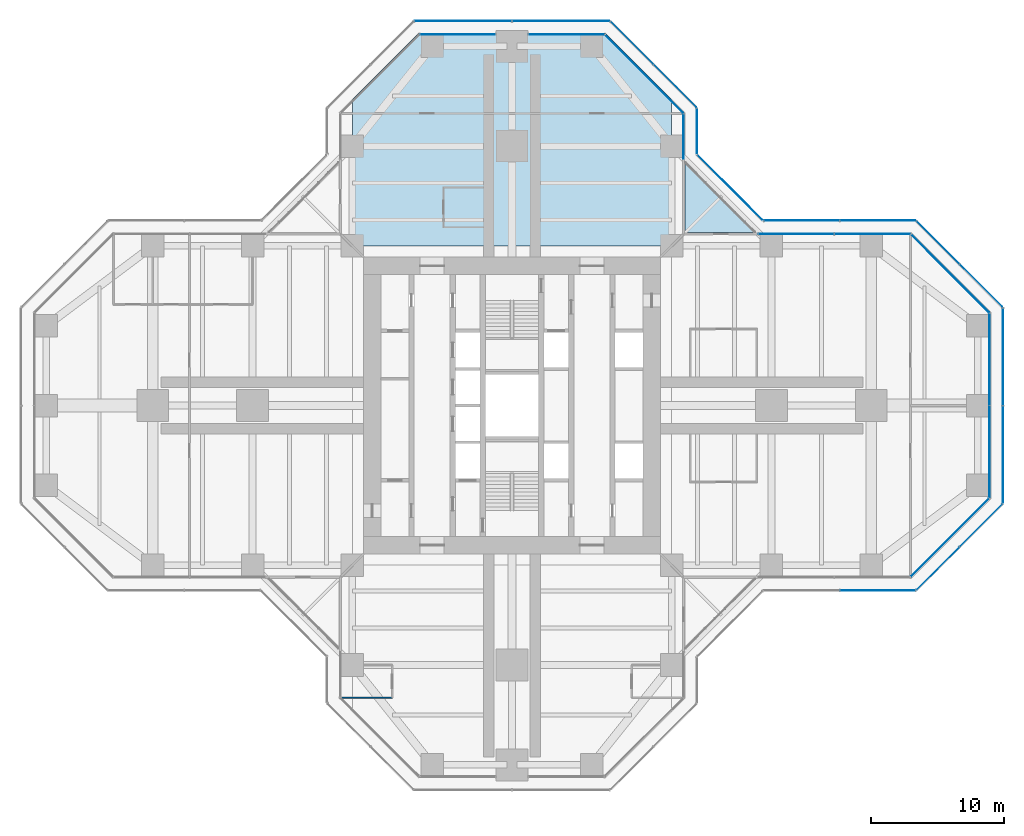
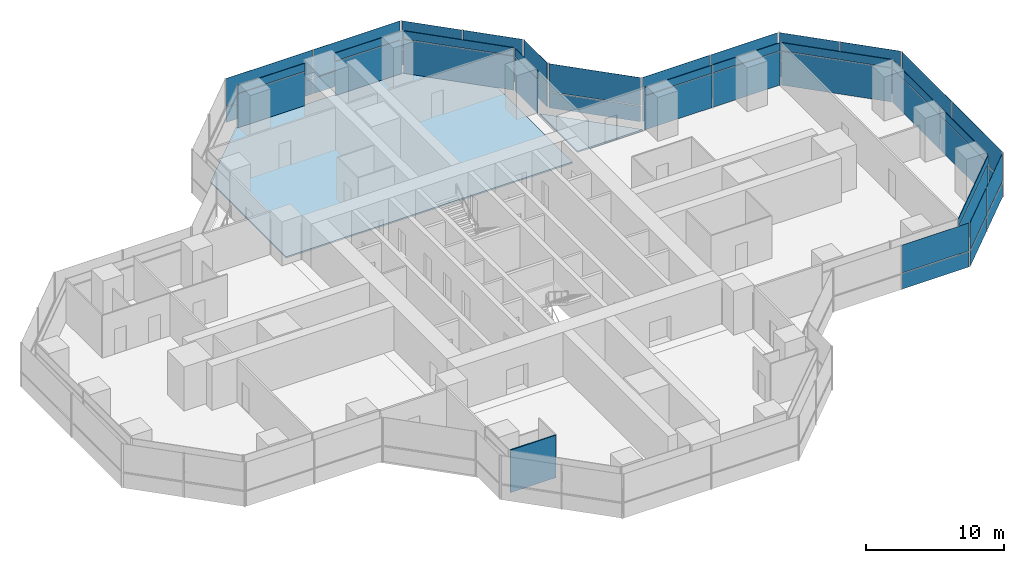
# One storey, part 14 of 19: 50 plates, 2 slabs, 1 wall, 17 elements without a shape of their own.
"""IFC4 building model written with IfcOpenShell, lengths in metres."""

import ifcopenshell
import ifcopenshell.guid

model = None  # the IFC model being written
_history = None  # IfcOwnerHistory: only IFC2X3 demands one
_inside = {}  # id of a spatial element -> (the spatial element, [elements in it])
_under = {}  # id of a project, library or spatial element -> (it, [spatial elements below it])
_declared = {}  # id of a project -> (the project, [libraries it declares])
_typed = {}  # id of a type object -> (the type object, [elements of that type])
_made_of = {}  # id of a material, layer set ... -> (it, [elements and type objects made of it])


def new_model(schema):
    """Start an empty IFC model of exactly this schema.

    Asked for "IFC4X3", IfcOpenShell would pick the latest addendum, in which some entities
    have other attributes; the version numbers below select the first issue.
    IFC2X3 requires an IfcOwnerHistory on every rooted entity: one is made here for all.
    """
    global model, _history
    if schema == "IFC4X3":
        model = ifcopenshell.file(schema_version=(4, 3, 0, 0))
    else:
        model = ifcopenshell.file(schema=schema)
    _inside.clear()
    _under.clear()
    _declared.clear()
    _typed.clear()
    _made_of.clear()
    _history = None
    if model.schema == "IFC2X3":
        org = make("IfcOrganization", Name="unknown")
        user = make(
            "IfcPersonAndOrganization",
            ThePerson=make("IfcPerson", FamilyName="unknown"),
            TheOrganization=org,
        )
        app = make(
            "IfcApplication",
            ApplicationDeveloper=org,
            Version="unknown",
            ApplicationFullName="unknown",
            ApplicationIdentifier="unknown",
        )
        _history = make(
            "IfcOwnerHistory",
            OwningUser=user,
            OwningApplication=app,
            ChangeAction="ADDED",
            CreationDate=0,
        )
    return model


def make(cls, **values):
    """One entity of the class cls with the attributes given. An attribute that is None is left unset."""
    return model.create_entity(
        cls, **{name: value for name, value in values.items() if value is not None}
    )


def rooted(cls, **values):
    """An entity with a GlobalId (a new one), such as an element, a storey or a relation."""
    return make(cls, GlobalId=ifcopenshell.guid.new(), OwnerHistory=_history, **values)


def si_unit(unit_type, name, prefix=None):
    """IfcSIUnit, for example si_unit("LENGTHUNIT", "METRE", prefix="MILLI")."""
    return make("IfcSIUnit", UnitType=unit_type, Prefix=prefix, Name=name)


def assignment(units):
    """IfcUnitAssignment: the units of a project."""
    return None if units is None else make("IfcUnitAssignment", Units=units)


def point(xyz):
    """IfcCartesianPoint."""
    return None if xyz is None else make("IfcCartesianPoint", Coordinates=xyz)


def direction(xyz):
    """IfcDirection."""
    return None if xyz is None else make("IfcDirection", DirectionRatios=xyz)


def frame(location, z_axis=None, x_axis=None):
    """IfcAxis2Placement3D, a coordinate frame: its origin and axes. An axis left out is left unset."""
    return make(
        "IfcAxis2Placement3D",
        Location=point(location),
        Axis=direction(z_axis),
        RefDirection=direction(x_axis),
    )


def frame_2d(location, x_axis=None):
    """IfcAxis2Placement2D, a coordinate frame in the plane: its origin and x axis."""
    return make(
        "IfcAxis2Placement2D", Location=point(location), RefDirection=direction(x_axis)
    )


def origin():
    """The frame at (0, 0, 0) with its axes left unset."""
    return frame((0.0, 0.0, 0.0))


def origin_2d():
    """The frame at (0, 0) in the plane with its x axis left unset."""
    return frame_2d((0.0, 0.0))


def place(relative_to, where):
    """IfcLocalPlacement: puts the frame where relative to a parent placement (None: the world)."""
    return make(
        "IfcLocalPlacement", PlacementRelTo=relative_to, RelativePlacement=where
    )


def context(
    kind, dimensions, precision=None, world=None, true_north=None, identifier=None
):
    """IfcGeometricRepresentationContext, for example the 3D "Model" context."""
    return make(
        "IfcGeometricRepresentationContext",
        ContextIdentifier=identifier,
        ContextType=kind,
        CoordinateSpaceDimension=dimensions,
        Precision=precision,
        WorldCoordinateSystem=world,
        TrueNorth=true_north,
    )


def subcontext(parent, identifier, kind, view, scale=None):
    """IfcGeometricRepresentationSubContext, for example "Body" below "Model"."""
    return make(
        "IfcGeometricRepresentationSubContext",
        ContextIdentifier=identifier,
        ContextType=kind,
        ParentContext=parent,
        TargetScale=scale,
        TargetView=view,
    )


def project(units=None, contexts=None):
    """IfcProject with its units and contexts."""
    return rooted(
        "IfcProject",
        Name="project",
        RepresentationContexts=contexts,
        UnitsInContext=assignment(units),
    )


def spatial(cls, under=None, at=None, **own):
    """A site, building, storey or space (cls), placed at a placement, below another one or the project."""
    s = rooted(cls, ObjectPlacement=at, **own)
    if under is not None:
        _under.setdefault(under.id(), (under, []))[1].append(s)
    return s


def polyline(points):
    """IfcPolyline through the points."""
    return make("IfcPolyline", Points=[point(p) for p in points])


def profile(cls, at=None, kind="AREA", **sizes):
    """A parametric profile (cls). Its sizes go by their IFC names, for example OverallWidth=200.0."""
    return make(cls, ProfileType=kind, Position=at, **sizes)


def rectangle(**sizes):
    """IfcRectangleProfileDef."""
    return profile("IfcRectangleProfileDef", **sizes)


def outline(outer, holes=None, kind="AREA"):
    """IfcArbitraryClosedProfileDef: a profile drawn as a closed curve; with holes, ...WithVoids."""
    if holes is None:
        return make("IfcArbitraryClosedProfileDef", ProfileType=kind, OuterCurve=outer)
    return make(
        "IfcArbitraryProfileDefWithVoids",
        ProfileType=kind,
        OuterCurve=outer,
        InnerCurves=holes,
    )


def extrude(swept, where, along, depth):
    """IfcExtrudedAreaSolid: the profile swept, set in the frame where, extruded along a direction by depth."""
    return make(
        "IfcExtrudedAreaSolid",
        SweptArea=swept,
        Position=where,
        ExtrudedDirection=direction(along),
        Depth=depth,
    )


def shape(context_of_items, identifier, shape_type, items):
    """IfcShapeRepresentation: the items that make up one representation, for example the "Body"."""
    return make(
        "IfcShapeRepresentation",
        ContextOfItems=context_of_items,
        RepresentationIdentifier=identifier,
        RepresentationType=shape_type,
        Items=items,
    )


def material(Name=None, Category=None):
    """IfcMaterial."""
    return make("IfcMaterial", Name=Name, Category=Category)


def layer(
    of_material, thickness, ventilated=None, Name=None, Category=None, Priority=None
):
    """IfcMaterialLayer: one layer of a wall or slab, of a material (None: an air gap)."""
    return make(
        "IfcMaterialLayer",
        Material=of_material,
        LayerThickness=thickness,
        IsVentilated=ventilated,
        Name=Name,
        Category=Category,
        Priority=Priority,
    )


def layer_set(layers, Name=None):
    """IfcMaterialLayerSet."""
    return make("IfcMaterialLayerSet", MaterialLayers=layers, LayerSetName=Name)


def made_of(thing, what):
    """Note that an element or type object is made of a material, layer set ...; save() writes the relation."""
    if what is not None:
        _made_of.setdefault(what.id(), (what, []))[1].append(thing)
    return thing


def type_object(cls, material=None, **own):
    """A type object (cls), such as IfcWallType, which elements share."""
    return made_of(rooted(cls, **own), material)


def element(
    cls,
    number,
    at=None,
    inside=None,
    cuts=None,
    type_object=None,
    material=None,
    context=None,
    identifier="Body",
    shape_type=None,
    held_by="IfcProductDefinitionShape",
    body=None,
    shapes=None,
    **own,
):
    """One element of the class cls, such as IfcWall. Its Tag is "e" and its number.

    at: its placement. inside: the storey or other place that contains it. cuts: it is an
    opening in that element (IfcRelVoidsElement). A single representation is given by context,
    identifier, shape_type and body (its items); several are given by shapes. held_by: the class
    of the entity that holds the representations. save() writes the other relations.
    """
    e = rooted(cls, Tag="e%d" % number, ObjectPlacement=at, **own)
    if body is not None:
        shapes = [shape(context, identifier, shape_type, body)]
    if shapes is not None:
        e.Representation = make(held_by, Representations=shapes)
    if inside is not None:
        _inside.setdefault(inside.id(), (inside, []))[1].append(e)
    if cuts is not None:
        rooted(
            "IfcRelVoidsElement", RelatingBuildingElement=cuts, RelatedOpeningElement=e
        )
    if type_object is not None:
        _typed.setdefault(type_object.id(), (type_object, []))[1].append(e)
    return made_of(e, material)


def aggregate(whole, parts):
    """IfcRelAggregates: a whole, such as a stair, and the parts it consists of."""
    return rooted("IfcRelAggregates", RelatingObject=whole, RelatedObjects=parts)


def save(model, path):
    """Write the relations noted so far, then the file.

    IfcRelAggregates (storeys below a building ...), IfcRelContainedInSpatialStructure (elements
    in a storey), IfcRelDefinesByType, IfcRelAssociatesMaterial and IfcRelDeclares: one each for
    every whole, place, type object, material and project.
    """
    for whole, parts in _under.values():
        aggregate(whole, parts)
    for where, things in _inside.values():
        rooted(
            "IfcRelContainedInSpatialStructure",
            RelatedElements=things,
            RelatingStructure=where,
        )
    for kind, things in _typed.values():
        rooted("IfcRelDefinesByType", RelatedObjects=things, RelatingType=kind)
    for what, things in _made_of.values():
        rooted("IfcRelAssociatesMaterial", RelatedObjects=things, RelatingMaterial=what)
    for by, libraries in _declared.values():
        rooted("IfcRelDeclares", RelatingContext=by, RelatedDefinitions=libraries)
    model.write(path)


model = new_model("IFC4")

# Units and contexts
model_context = context("Model", 3, precision=1e-05, world=origin(), true_north=direction((0.0, 1.0)))
body_context = subcontext(model_context, "Body", "Model", "MODEL_VIEW")
ifc_project = project(units=[si_unit("LENGTHUNIT", "METRE"), si_unit("AREAUNIT", "SQUARE_METRE"), si_unit("VOLUMEUNIT", "CUBIC_METRE"), si_unit("PLANEANGLEUNIT", "RADIAN"), si_unit("MASSUNIT", "GRAM", prefix="KILO")], contexts=[model_context])

# Site, building, storey
site_placement = place(None, origin())
site = spatial("IfcSite", under=ifc_project, at=site_placement, CompositionType="ELEMENT")
building_placement = place(site_placement, origin())
building = spatial("IfcBuilding", under=site, at=building_placement, Name="Mizan Broadcast Tower", CompositionType="ELEMENT")
storey_placement = place(building_placement, frame((0.0, 0.0, 163.199951171875)))
storey = spatial("IfcBuildingStorey", under=building, at=storey_placement, Name="L37", CompositionType="ELEMENT", Elevation=163.199951171875)

# Slab
ifc_material_1 = material(Name="Concrete C32/40", Category="concrete")
ifc_layer_1 = layer(ifc_material_1, 0.1298828125)
ifc_layer_set_1 = layer_set([ifc_layer_1], Name="Concrete C32/40")
slab_type_1 = type_object("IfcSlabType", Name="COMPOSITE DECK SLAB 130", PredefinedType="FLOOR", material=ifc_layer_set_1)
slab_1_placement = place(storey_placement, frame((0.0, 0.0, -0.1298828125)))
element("IfcSlab", 1, at=slab_1_placement, inside=storey, type_object=slab_type_1, Name="Floor slab L37 north arm", PredefinedType="FLOOR", context=body_context, shape_type="SweptSolid", body=[
    extrude(outline(polyline([(-7.0, 28.0), (-12.0, 23.0), (-12.0, 12.0), (12.0, 12.0), (12.0, 23.0), (7.0, 28.0), (-7.0, 28.0)])), origin(), (0.0, 0.0, 1.0), 0.1298828125),
])

# Curtain wall, plate
ifc_material_2 = material(Name="Aluminium framed glazing", Category="aluminium")
curtain_wall_type_1 = type_object("IfcCurtainWallType", Name="INNER SKIN MID ZONE", PredefinedType="USERDEFINED", material=ifc_material_2)
curtain_wall_1_placement = place(storey_placement, origin())
curtain_wall_1 = element("IfcCurtainWall", 2, at=curtain_wall_1_placement, inside=storey, type_object=curtain_wall_type_1, Name="Inner skin mid zone L37 E chamfer", ObjectType="INNER SKIN MID ZONE", PredefinedType="USERDEFINED")
ifc_material_3 = material(Name="Double glazing, clear low-e", Category="glass")
ifc_layer_2 = layer(ifc_material_3, 0.028076171875)
ifc_layer_set_2 = layer_set([ifc_layer_2], Name="Double glazing, clear low-e")
plate_type_1 = type_object("IfcPlateType", Name="INNER SKIN GLAZING UNIT", PredefinedType="CURTAIN_PANEL", material=ifc_layer_set_2)
plate_1_placement = place(storey_placement, frame((32.92919921875, -9.92919921875, 0.0), z_axis=(0.0, 0.0, 1.0), x_axis=(0.707106781187, 0.707106781187, 0.0)))
plate_1 = element("IfcPlate", 3, at=plate_1_placement, type_object=plate_type_1, Name="Inner skin mid zone L37 E chamfer panel 1.1", PredefinedType="CURTAIN_PANEL", context=body_context, shape_type="SweptSolid", body=[
    extrude(rectangle(XDim=8.282470703125, YDim=0.028076171875, at=origin_2d()), origin(), (0.0, 0.0, 1.0), 3.0),
])

# Curtain wall, plates
curtain_wall_2_placement = place(storey_placement, origin())
curtain_wall_2 = element("IfcCurtainWall", 4, at=curtain_wall_2_placement, inside=storey, type_object=curtain_wall_type_1, Name="Inner skin mid zone L37 E end", ObjectType="INNER SKIN MID ZONE", PredefinedType="USERDEFINED")
plate_2_placement = place(storey_placement, frame((35.89990234375, -3.46435546875, 0.0), z_axis=(0.0, 0.0, 1.0), x_axis=(0.0, 1.0, 0.0)))
plate_2 = element("IfcPlate", 5, at=plate_2_placement, type_object=plate_type_1, Name="Inner skin mid zone L37 E end panel 1.1", PredefinedType="CURTAIN_PANEL", context=body_context, shape_type="SweptSolid", body=[
    extrude(rectangle(XDim=6.86865234375, YDim=0.028076171875, at=origin_2d()), origin(), (0.0, 0.0, 1.0), 3.0),
])
plate_3_placement = place(storey_placement, frame((35.89990234375, 3.46435546875, 0.0), z_axis=(0.0, 0.0, 1.0), x_axis=(0.0, 1.0, 0.0)))
plate_3 = element("IfcPlate", 6, at=plate_3_placement, type_object=plate_type_1, Name="Inner skin mid zone L37 E end panel 2.1", PredefinedType="CURTAIN_PANEL", context=body_context, shape_type="SweptSolid", body=[
    extrude(rectangle(XDim=6.86865234375, YDim=0.028076171875, at=origin_2d()), origin(), (0.0, 0.0, 1.0), 3.0),
])

# Curtain wall, plate
curtain_wall_3_placement = place(storey_placement, origin())
curtain_wall_3 = element("IfcCurtainWall", 7, at=curtain_wall_3_placement, inside=storey, type_object=curtain_wall_type_1, Name="Inner skin mid zone L37 E chamfer", ObjectType="INNER SKIN MID ZONE", PredefinedType="USERDEFINED")
plate_4_placement = place(storey_placement, frame((32.92919921875, 9.92919921875, 0.0), z_axis=(0.0, 0.0, 1.0), x_axis=(-0.707106781187, 0.707106781187, 0.0)))
plate_4 = element("IfcPlate", 8, at=plate_4_placement, type_object=plate_type_1, Name="Inner skin mid zone L37 E chamfer panel 1.1", PredefinedType="CURTAIN_PANEL", context=body_context, shape_type="SweptSolid", body=[
    extrude(rectangle(XDim=8.282470703125, YDim=0.028076171875, at=origin_2d()), origin(), (0.0, 0.0, 1.0), 3.0),
])

# Curtain wall, plates
curtain_wall_4_placement = place(storey_placement, origin())
curtain_wall_4 = element("IfcCurtainWall", 9, at=curtain_wall_4_placement, inside=storey, type_object=curtain_wall_type_1, Name="Inner skin mid zone L37 E side", ObjectType="INNER SKIN MID ZONE", PredefinedType="USERDEFINED")
plate_5_placement = place(storey_placement, frame((27.078857421875, 12.89990234375, 0.0), z_axis=(0.0, 0.0, 1.0), x_axis=(-1.0, 0.0, 0.0)))
plate_5 = element("IfcPlate", 10, at=plate_5_placement, type_object=plate_type_1, Name="Inner skin mid zone L37 E side panel 1.1", PredefinedType="CURTAIN_PANEL", context=body_context, shape_type="SweptSolid", body=[
    extrude(rectangle(XDim=5.639404296875, YDim=0.028076171875, at=origin_2d()), origin(), (0.0, 0.0, 1.0), 3.0),
])
plate_6_placement = place(storey_placement, frame((21.379638671875, 12.89990234375, 0.0), z_axis=(0.0, 0.0, 1.0), x_axis=(-1.0, 0.0, 0.0)))
plate_6 = element("IfcPlate", 11, at=plate_6_placement, type_object=plate_type_1, Name="Inner skin mid zone L37 E side panel 2.1", PredefinedType="CURTAIN_PANEL", context=body_context, shape_type="SweptSolid", body=[
    extrude(rectangle(XDim=5.639404296875, YDim=0.028076171875, at=origin_2d()), origin(), (0.0, 0.0, 1.0), 3.0),
])

# Curtain wall, plate
curtain_wall_5_placement = place(storey_placement, origin())
curtain_wall_5 = element("IfcCurtainWall", 12, at=curtain_wall_5_placement, inside=storey, type_object=curtain_wall_type_1, Name="Inner skin mid zone L37 N side", ObjectType="INNER SKIN MID ZONE", PredefinedType="USERDEFINED")
plate_7_placement = place(storey_placement, frame((12.89990234375, 20.229248046875, 0.0), z_axis=(0.0, 0.0, 1.0), x_axis=(0.0, 1.0, 0.0)))
plate_7 = element("IfcPlate", 13, at=plate_7_placement, type_object=plate_type_1, Name="Inner skin mid zone L37 N side panel 1.1", PredefinedType="CURTAIN_PANEL", context=body_context, shape_type="SweptSolid", body=[
    extrude(rectangle(XDim=3.338623046875, YDim=0.028076171875, at=origin_2d()), origin(), (0.0, 0.0, 1.0), 3.0),
])

curtain_wall_6_placement = place(storey_placement, origin())
curtain_wall_6 = element("IfcCurtainWall", 14, at=curtain_wall_6_placement, inside=storey, type_object=curtain_wall_type_1, Name="Inner skin mid zone L37 N chamfer", ObjectType="INNER SKIN MID ZONE", PredefinedType="USERDEFINED")
plate_8_placement = place(storey_placement, frame((9.92919921875, 24.92919921875, 0.0), z_axis=(0.0, 0.0, 1.0), x_axis=(-0.707106781187, 0.707106781187, 0.0)))
plate_8 = element("IfcPlate", 15, at=plate_8_placement, type_object=plate_type_1, Name="Inner skin mid zone L37 N chamfer panel 1.1", PredefinedType="CURTAIN_PANEL", context=body_context, shape_type="SweptSolid", body=[
    extrude(rectangle(XDim=8.282470703125, YDim=0.028076171875, at=origin_2d()), origin(), (0.0, 0.0, 1.0), 3.0),
])

curtain_wall_7_placement = place(storey_placement, origin())
curtain_wall_7 = element("IfcCurtainWall", 16, at=curtain_wall_7_placement, inside=storey, type_object=curtain_wall_type_1, Name="Inner skin mid zone L37 N end", ObjectType="INNER SKIN MID ZONE", PredefinedType="USERDEFINED")
plate_9_placement = place(storey_placement, frame((4.079345703125, 27.89990234375, 0.0), z_axis=(0.0, 0.0, 1.0), x_axis=(-1.0, 0.0, 0.0)))
plate_9 = element("IfcPlate", 17, at=plate_9_placement, type_object=plate_type_1, Name="Inner skin mid zone L37 N end panel 1.1", PredefinedType="CURTAIN_PANEL", context=body_context, shape_type="SweptSolid", body=[
    extrude(rectangle(XDim=5.638671875, YDim=0.028076171875, at=origin_2d()), origin(), (0.0, 0.0, 1.0), 3.0),
])

curtain_wall_8_placement = place(storey_placement, origin())
curtain_wall_8 = element("IfcCurtainWall", 18, at=curtain_wall_8_placement, inside=storey, type_object=curtain_wall_type_1, Name="Inner skin mid zone L37 N end", ObjectType="INNER SKIN MID ZONE", PredefinedType="USERDEFINED")
plate_10_placement = place(storey_placement, frame((-4.079345703125, 27.89990234375, 0.0), z_axis=(0.0, 0.0, 1.0), x_axis=(-1.0, 0.0, 0.0)))
plate_10 = element("IfcPlate", 19, at=plate_10_placement, type_object=plate_type_1, Name="Inner skin mid zone L37 N end panel 1.1", PredefinedType="CURTAIN_PANEL", context=body_context, shape_type="SweptSolid", body=[
    extrude(rectangle(XDim=5.638671875, YDim=0.028076171875, at=origin_2d()), origin(), (0.0, 0.0, 1.0), 3.0),
])

# Plate
ifc_material_4 = material(Name="Insulated aluminium spandrel panel, pale anodised", Category="aluminium")
ifc_layer_3 = layer(ifc_material_4, 0.050048828125)
ifc_layer_set_3 = layer_set([ifc_layer_3], Name="Insulated aluminium spandrel panel, pale anodised")
plate_type_2 = type_object("IfcPlateType", Name="INNER SKIN SPANDREL PANEL", PredefinedType="CURTAIN_PANEL", material=ifc_layer_set_3)
plate_11_placement = place(storey_placement, frame((32.92919921875, -9.92919921875, 3.06005859375), z_axis=(0.0, 0.0, 1.0), x_axis=(0.707106781187, 0.707106781187, 0.0)))
plate_11 = element("IfcPlate", 20, at=plate_11_placement, type_object=plate_type_2, Name="Inner skin mid zone L37 E chamfer panel 1.2", PredefinedType="CURTAIN_PANEL", context=body_context, shape_type="SweptSolid", body=[
    extrude(rectangle(XDim=8.282470703125, YDim=0.050048828125, at=origin_2d()), origin(), (0.0, 0.0, 1.0), 0.7099609375),
])

aggregate(curtain_wall_1, [plate_1, plate_11])

plate_12_placement = place(storey_placement, frame((35.89990234375, -3.46435546875, 3.06005859375), z_axis=(0.0, 0.0, 1.0), x_axis=(0.0, 1.0, 0.0)))
plate_12 = element("IfcPlate", 21, at=plate_12_placement, type_object=plate_type_2, Name="Inner skin mid zone L37 E end panel 1.2", PredefinedType="CURTAIN_PANEL", context=body_context, shape_type="SweptSolid", body=[
    extrude(rectangle(XDim=6.86865234375, YDim=0.050048828125, at=origin_2d()), origin(), (0.0, 0.0, 1.0), 0.7099609375),
])

plate_13_placement = place(storey_placement, frame((35.89990234375, 3.46435546875, 3.06005859375), z_axis=(0.0, 0.0, 1.0), x_axis=(0.0, 1.0, 0.0)))
plate_13 = element("IfcPlate", 22, at=plate_13_placement, type_object=plate_type_2, Name="Inner skin mid zone L37 E end panel 2.2", PredefinedType="CURTAIN_PANEL", context=body_context, shape_type="SweptSolid", body=[
    extrude(rectangle(XDim=6.86865234375, YDim=0.050048828125, at=origin_2d()), origin(), (0.0, 0.0, 1.0), 0.7099609375),
])

aggregate(curtain_wall_2, [plate_2, plate_12, plate_3, plate_13])

plate_14_placement = place(storey_placement, frame((32.92919921875, 9.92919921875, 3.06005859375), z_axis=(0.0, 0.0, 1.0), x_axis=(-0.707106781187, 0.707106781187, 0.0)))
plate_14 = element("IfcPlate", 23, at=plate_14_placement, type_object=plate_type_2, Name="Inner skin mid zone L37 E chamfer panel 1.2", PredefinedType="CURTAIN_PANEL", context=body_context, shape_type="SweptSolid", body=[
    extrude(rectangle(XDim=8.282470703125, YDim=0.050048828125, at=origin_2d()), origin(), (0.0, 0.0, 1.0), 0.7099609375),
])

aggregate(curtain_wall_3, [plate_4, plate_14])

plate_15_placement = place(storey_placement, frame((27.078857421875, 12.89990234375, 3.06005859375), z_axis=(0.0, 0.0, 1.0), x_axis=(-1.0, 0.0, 0.0)))
plate_15 = element("IfcPlate", 24, at=plate_15_placement, type_object=plate_type_2, Name="Inner skin mid zone L37 E side panel 1.2", PredefinedType="CURTAIN_PANEL", context=body_context, shape_type="SweptSolid", body=[
    extrude(rectangle(XDim=5.639404296875, YDim=0.050048828125, at=origin_2d()), origin(), (0.0, 0.0, 1.0), 0.7099609375),
])

plate_16_placement = place(storey_placement, frame((21.379638671875, 12.89990234375, 3.06005859375), z_axis=(0.0, 0.0, 1.0), x_axis=(-1.0, 0.0, 0.0)))
plate_16 = element("IfcPlate", 25, at=plate_16_placement, type_object=plate_type_2, Name="Inner skin mid zone L37 E side panel 2.2", PredefinedType="CURTAIN_PANEL", context=body_context, shape_type="SweptSolid", body=[
    extrude(rectangle(XDim=5.639404296875, YDim=0.050048828125, at=origin_2d()), origin(), (0.0, 0.0, 1.0), 0.7099609375),
])

aggregate(curtain_wall_4, [plate_5, plate_15, plate_6, plate_16])

plate_17_placement = place(storey_placement, frame((12.89990234375, 20.229248046875, 3.06005859375), z_axis=(0.0, 0.0, 1.0), x_axis=(0.0, 1.0, 0.0)))
plate_17 = element("IfcPlate", 26, at=plate_17_placement, type_object=plate_type_2, Name="Inner skin mid zone L37 N side panel 1.2", PredefinedType="CURTAIN_PANEL", context=body_context, shape_type="SweptSolid", body=[
    extrude(rectangle(XDim=3.338623046875, YDim=0.050048828125, at=origin_2d()), origin(), (0.0, 0.0, 1.0), 0.7099609375),
])

aggregate(curtain_wall_5, [plate_7, plate_17])

plate_18_placement = place(storey_placement, frame((9.92919921875, 24.92919921875, 3.06005859375), z_axis=(0.0, 0.0, 1.0), x_axis=(-0.707106781187, 0.707106781187, 0.0)))
plate_18 = element("IfcPlate", 27, at=plate_18_placement, type_object=plate_type_2, Name="Inner skin mid zone L37 N chamfer panel 1.2", PredefinedType="CURTAIN_PANEL", context=body_context, shape_type="SweptSolid", body=[
    extrude(rectangle(XDim=8.282470703125, YDim=0.050048828125, at=origin_2d()), origin(), (0.0, 0.0, 1.0), 0.7099609375),
])

aggregate(curtain_wall_6, [plate_8, plate_18])

plate_19_placement = place(storey_placement, frame((4.079345703125, 27.89990234375, 3.06005859375), z_axis=(0.0, 0.0, 1.0), x_axis=(-1.0, 0.0, 0.0)))
plate_19 = element("IfcPlate", 28, at=plate_19_placement, type_object=plate_type_2, Name="Inner skin mid zone L37 N end panel 1.2", PredefinedType="CURTAIN_PANEL", context=body_context, shape_type="SweptSolid", body=[
    extrude(rectangle(XDim=5.638671875, YDim=0.050048828125, at=origin_2d()), origin(), (0.0, 0.0, 1.0), 0.7099609375),
])

aggregate(curtain_wall_7, [plate_9, plate_19])

plate_20_placement = place(storey_placement, frame((-4.079345703125, 27.89990234375, 3.06005859375), z_axis=(0.0, 0.0, 1.0), x_axis=(-1.0, 0.0, 0.0)))
plate_20 = element("IfcPlate", 29, at=plate_20_placement, type_object=plate_type_2, Name="Inner skin mid zone L37 N end panel 1.2", PredefinedType="CURTAIN_PANEL", context=body_context, shape_type="SweptSolid", body=[
    extrude(rectangle(XDim=5.638671875, YDim=0.050048828125, at=origin_2d()), origin(), (0.0, 0.0, 1.0), 0.7099609375),
])

aggregate(curtain_wall_8, [plate_10, plate_20])

# Curtain wall, plates
ifc_material_5 = material(Name="Aluminium framed glazing", Category="aluminium")
curtain_wall_type_2 = type_object("IfcCurtainWallType", Name="OUTER SKIN", PredefinedType="USERDEFINED", material=ifc_material_5)
curtain_wall_9_placement = place(storey_placement, origin())
curtain_wall_9 = element("IfcCurtainWall", 30, at=curtain_wall_9_placement, inside=storey, type_object=curtain_wall_type_2, Name="Outer skin L37 E chamfer", ObjectType="OUTER SKIN", PredefinedType="USERDEFINED")
ifc_material_6 = material(Name="Laminated clear glass", Category="glass")
ifc_layer_4 = layer(ifc_material_6, 0.02001953125)
ifc_layer_set_4 = layer_set([ifc_layer_4], Name="Laminated clear glass")
plate_type_3 = type_object("IfcPlateType", Name="OUTER SKIN CLEAR GLASS", PredefinedType="CURTAIN_PANEL", material=ifc_layer_set_4)
plate_21_placement = place(storey_placement, frame((32.018798828125, -12.254150390625, 0.0), z_axis=(0.0, 0.0, 1.0), x_axis=(0.707106781187, 0.707106781187, 0.0)))
plate_21 = element("IfcPlate", 31, at=plate_21_placement, type_object=plate_type_3, Name="Outer skin L37 E chamfer panel 1.1", PredefinedType="CURTAIN_PANEL", context=body_context, shape_type="SweptSolid", body=[
    extrude(rectangle(XDim=4.495361328125, YDim=0.02001953125, at=origin_2d()), origin(), (0.0, 0.0, 1.0), 1.3701171875),
])
plate_22_placement = place(storey_placement, frame((32.018798828125, -12.254150390625, 1.43017578125), z_axis=(0.0, 0.0, 1.0), x_axis=(0.707106781187, 0.707106781187, 0.0)))
plate_22 = element("IfcPlate", 32, at=plate_22_placement, type_object=plate_type_3, Name="Outer skin L37 E chamfer panel 1.2", PredefinedType="CURTAIN_PANEL", context=body_context, shape_type="SweptSolid", body=[
    extrude(rectangle(XDim=4.495361328125, YDim=0.02001953125, at=origin_2d()), origin(), (0.0, 0.0, 1.0), 2.469970703125),
])

curtain_wall_10_placement = place(storey_placement, origin())
curtain_wall_10 = element("IfcCurtainWall", 33, at=curtain_wall_10_placement, inside=storey, type_object=curtain_wall_type_2, Name="Outer skin L37 E end", ObjectType="OUTER SKIN", PredefinedType="USERDEFINED")
plate_23_placement = place(storey_placement, frame((36.89990234375, -3.66650390625, 0.0), z_axis=(0.0, 0.0, 1.0), x_axis=(0.0, 1.0, 0.0)))
plate_23 = element("IfcPlate", 34, at=plate_23_placement, type_object=plate_type_3, Name="Outer skin L37 E end panel 1.1", PredefinedType="CURTAIN_PANEL", context=body_context, shape_type="SweptSolid", body=[
    extrude(rectangle(XDim=7.252685546875, YDim=0.02001953125, at=origin_2d()), origin(), (0.0, 0.0, 1.0), 1.3701171875),
])
plate_24_placement = place(storey_placement, frame((36.89990234375, -3.66650390625, 1.43017578125), z_axis=(0.0, 0.0, 1.0), x_axis=(0.0, 1.0, 0.0)))
plate_24 = element("IfcPlate", 35, at=plate_24_placement, type_object=plate_type_3, Name="Outer skin L37 E end panel 1.2", PredefinedType="CURTAIN_PANEL", context=body_context, shape_type="SweptSolid", body=[
    extrude(rectangle(XDim=7.252685546875, YDim=0.02001953125, at=origin_2d()), origin(), (0.0, 0.0, 1.0), 2.469970703125),
])

curtain_wall_11_placement = place(storey_placement, origin())
curtain_wall_11 = element("IfcCurtainWall", 36, at=curtain_wall_11_placement, inside=storey, type_object=curtain_wall_type_2, Name="Outer skin L37 E chamfer", ObjectType="OUTER SKIN", PredefinedType="USERDEFINED")
plate_25_placement = place(storey_placement, frame((35.254150390625, 9.018798828125, 0.0), z_axis=(0.0, 0.0, 1.0), x_axis=(-0.707106781187, 0.707106781187, 0.0)))
plate_25 = element("IfcPlate", 37, at=plate_25_placement, type_object=plate_type_3, Name="Outer skin L37 E chamfer panel 1.1", PredefinedType="CURTAIN_PANEL", context=body_context, shape_type="SweptSolid", body=[
    extrude(rectangle(XDim=4.495361328125, YDim=0.02001953125, at=origin_2d()), origin(), (0.0, 0.0, 1.0), 1.3701171875),
])
plate_26_placement = place(storey_placement, frame((35.254150390625, 9.018798828125, 1.43017578125), z_axis=(0.0, 0.0, 1.0), x_axis=(-0.707106781187, 0.707106781187, 0.0)))
plate_26 = element("IfcPlate", 38, at=plate_26_placement, type_object=plate_type_3, Name="Outer skin L37 E chamfer panel 1.2", PredefinedType="CURTAIN_PANEL", context=body_context, shape_type="SweptSolid", body=[
    extrude(rectangle(XDim=4.495361328125, YDim=0.02001953125, at=origin_2d()), origin(), (0.0, 0.0, 1.0), 2.469970703125),
])

curtain_wall_12_placement = place(storey_placement, origin())
curtain_wall_12 = element("IfcCurtainWall", 39, at=curtain_wall_12_placement, inside=storey, type_object=curtain_wall_type_2, Name="Outer skin L37 E side", ObjectType="OUTER SKIN", PredefinedType="USERDEFINED")
plate_27_placement = place(storey_placement, frame((27.477783203125, 13.89990234375, 0.0), z_axis=(0.0, 0.0, 1.0), x_axis=(-1.0, 0.0, 0.0)))
plate_27 = element("IfcPlate", 40, at=plate_27_placement, type_object=plate_type_3, Name="Outer skin L37 E side panel 1.1", PredefinedType="CURTAIN_PANEL", context=body_context, shape_type="SweptSolid", body=[
    extrude(rectangle(XDim=5.6298828125, YDim=0.02001953125, at=origin_2d()), origin(), (0.0, 0.0, 1.0), 1.3701171875),
])
plate_28_placement = place(storey_placement, frame((27.477783203125, 13.89990234375, 1.43017578125), z_axis=(0.0, 0.0, 1.0), x_axis=(-1.0, 0.0, 0.0)))
plate_28 = element("IfcPlate", 41, at=plate_28_placement, type_object=plate_type_3, Name="Outer skin L37 E side panel 1.2", PredefinedType="CURTAIN_PANEL", context=body_context, shape_type="SweptSolid", body=[
    extrude(rectangle(XDim=5.6298828125, YDim=0.02001953125, at=origin_2d()), origin(), (0.0, 0.0, 1.0), 2.469970703125),
])
plate_29_placement = place(storey_placement, frame((21.767822265625, 13.89990234375, 0.0), z_axis=(0.0, 0.0, 1.0), x_axis=(-1.0, 0.0, 0.0)))
plate_29 = element("IfcPlate", 42, at=plate_29_placement, type_object=plate_type_3, Name="Outer skin L37 E side panel 2.1", PredefinedType="CURTAIN_PANEL", context=body_context, shape_type="SweptSolid", body=[
    extrude(rectangle(XDim=5.6298828125, YDim=0.02001953125, at=origin_2d()), origin(), (0.0, 0.0, 1.0), 1.3701171875),
])
plate_30_placement = place(storey_placement, frame((21.767822265625, 13.89990234375, 1.43017578125), z_axis=(0.0, 0.0, 1.0), x_axis=(-1.0, 0.0, 0.0)))
plate_30 = element("IfcPlate", 43, at=plate_30_placement, type_object=plate_type_3, Name="Outer skin L37 E side panel 2.2", PredefinedType="CURTAIN_PANEL", context=body_context, shape_type="SweptSolid", body=[
    extrude(rectangle(XDim=5.6298828125, YDim=0.02001953125, at=origin_2d()), origin(), (0.0, 0.0, 1.0), 2.469970703125),
])
aggregate(curtain_wall_12, [plate_27, plate_28, plate_29, plate_30])

curtain_wall_13_placement = place(storey_placement, origin())
curtain_wall_13 = element("IfcCurtainWall", 44, at=curtain_wall_13_placement, inside=storey, type_object=curtain_wall_type_2, Name="Outer skin L37 E chamfer", ObjectType="OUTER SKIN", PredefinedType="USERDEFINED")
plate_31_placement = place(storey_placement, frame((16.386474609375, 16.386474609375, 0.0), z_axis=(0.0, 0.0, 1.0), x_axis=(-0.707106781187, 0.707106781187, 0.0)))
plate_31 = element("IfcPlate", 45, at=plate_31_placement, type_object=plate_type_3, Name="Outer skin L37 E chamfer panel 1.1", PredefinedType="CURTAIN_PANEL", context=body_context, shape_type="SweptSolid", body=[
    extrude(rectangle(XDim=6.87255859375, YDim=0.02001953125, at=origin_2d()), origin(), (0.0, 0.0, 1.0), 1.3701171875),
])
plate_32_placement = place(storey_placement, frame((16.386474609375, 16.386474609375, 1.43017578125), z_axis=(0.0, 0.0, 1.0), x_axis=(-0.707106781187, 0.707106781187, 0.0)))
plate_32 = element("IfcPlate", 46, at=plate_32_placement, type_object=plate_type_3, Name="Outer skin L37 E chamfer panel 1.2", PredefinedType="CURTAIN_PANEL", context=body_context, shape_type="SweptSolid", body=[
    extrude(rectangle(XDim=6.87255859375, YDim=0.02001953125, at=origin_2d()), origin(), (0.0, 0.0, 1.0), 2.469970703125),
])
aggregate(curtain_wall_13, [plate_31, plate_32])

curtain_wall_14_placement = place(storey_placement, origin())
curtain_wall_14 = element("IfcCurtainWall", 47, at=curtain_wall_14_placement, inside=storey, type_object=curtain_wall_type_2, Name="Outer skin L37 N side", ObjectType="OUTER SKIN", PredefinedType="USERDEFINED")
plate_33_placement = place(storey_placement, frame((13.89990234375, 20.622802734375, 0.0), z_axis=(0.0, 0.0, 1.0), x_axis=(0.0, 1.0, 0.0)))
plate_33 = element("IfcPlate", 48, at=plate_33_placement, type_object=plate_type_3, Name="Outer skin L37 N side panel 1.1", PredefinedType="CURTAIN_PANEL", context=body_context, shape_type="SweptSolid", body=[
    extrude(rectangle(XDim=3.340087890625, YDim=0.02001953125, at=origin_2d()), origin(), (0.0, 0.0, 1.0), 1.3701171875),
])
plate_34_placement = place(storey_placement, frame((13.89990234375, 20.622802734375, 1.43017578125), z_axis=(0.0, 0.0, 1.0), x_axis=(0.0, 1.0, 0.0)))
plate_34 = element("IfcPlate", 49, at=plate_34_placement, type_object=plate_type_3, Name="Outer skin L37 N side panel 1.2", PredefinedType="CURTAIN_PANEL", context=body_context, shape_type="SweptSolid", body=[
    extrude(rectangle(XDim=3.340087890625, YDim=0.02001953125, at=origin_2d()), origin(), (0.0, 0.0, 1.0), 2.469970703125),
])
aggregate(curtain_wall_14, [plate_33, plate_34])

curtain_wall_15_placement = place(storey_placement, origin())
curtain_wall_15 = element("IfcCurtainWall", 50, at=curtain_wall_15_placement, inside=storey, type_object=curtain_wall_type_2, Name="Outer skin L37 N chamfer", ObjectType="OUTER SKIN", PredefinedType="USERDEFINED")
plate_35_placement = place(storey_placement, frame((12.254150390625, 24.018798828125, 0.0), z_axis=(0.0, 0.0, 1.0), x_axis=(-0.707106781187, 0.707106781187, 0.0)))
plate_35 = element("IfcPlate", 51, at=plate_35_placement, type_object=plate_type_3, Name="Outer skin L37 N chamfer panel 1.1", PredefinedType="CURTAIN_PANEL", context=body_context, shape_type="SweptSolid", body=[
    extrude(rectangle(XDim=4.495361328125, YDim=0.02001953125, at=origin_2d()), origin(), (0.0, 0.0, 1.0), 1.3701171875),
])
plate_36_placement = place(storey_placement, frame((12.254150390625, 24.018798828125, 1.43017578125), z_axis=(0.0, 0.0, 1.0), x_axis=(-0.707106781187, 0.707106781187, 0.0)))
plate_36 = element("IfcPlate", 52, at=plate_36_placement, type_object=plate_type_3, Name="Outer skin L37 N chamfer panel 1.2", PredefinedType="CURTAIN_PANEL", context=body_context, shape_type="SweptSolid", body=[
    extrude(rectangle(XDim=4.495361328125, YDim=0.02001953125, at=origin_2d()), origin(), (0.0, 0.0, 1.0), 2.469970703125),
])

curtain_wall_16_placement = place(storey_placement, origin())
curtain_wall_16 = element("IfcCurtainWall", 53, at=curtain_wall_16_placement, inside=storey, type_object=curtain_wall_type_2, Name="Outer skin L37 N end", ObjectType="OUTER SKIN", PredefinedType="USERDEFINED")
plate_37_placement = place(storey_placement, frame((3.66650390625, 28.89990234375, 0.0), z_axis=(0.0, 0.0, 1.0), x_axis=(-1.0, 0.0, 0.0)))
plate_37 = element("IfcPlate", 54, at=plate_37_placement, type_object=plate_type_3, Name="Outer skin L37 N end panel 1.1", PredefinedType="CURTAIN_PANEL", context=body_context, shape_type="SweptSolid", body=[
    extrude(rectangle(XDim=7.252685546875, YDim=0.02001953125, at=origin_2d()), origin(), (0.0, 0.0, 1.0), 1.3701171875),
])
plate_38_placement = place(storey_placement, frame((3.66650390625, 28.89990234375, 1.43017578125), z_axis=(0.0, 0.0, 1.0), x_axis=(-1.0, 0.0, 0.0)))
plate_38 = element("IfcPlate", 55, at=plate_38_placement, type_object=plate_type_3, Name="Outer skin L37 N end panel 1.2", PredefinedType="CURTAIN_PANEL", context=body_context, shape_type="SweptSolid", body=[
    extrude(rectangle(XDim=7.252685546875, YDim=0.02001953125, at=origin_2d()), origin(), (0.0, 0.0, 1.0), 2.469970703125),
])
plate_39_placement = place(storey_placement, frame((-3.66650390625, 28.89990234375, 0.0), z_axis=(0.0, 0.0, 1.0), x_axis=(-1.0, 0.0, 0.0)))
plate_39 = element("IfcPlate", 56, at=plate_39_placement, type_object=plate_type_3, Name="Outer skin L37 N end panel 2.1", PredefinedType="CURTAIN_PANEL", context=body_context, shape_type="SweptSolid", body=[
    extrude(rectangle(XDim=7.252685546875, YDim=0.02001953125, at=origin_2d()), origin(), (0.0, 0.0, 1.0), 1.3701171875),
])
plate_40_placement = place(storey_placement, frame((-3.66650390625, 28.89990234375, 1.43017578125), z_axis=(0.0, 0.0, 1.0), x_axis=(-1.0, 0.0, 0.0)))
plate_40 = element("IfcPlate", 57, at=plate_40_placement, type_object=plate_type_3, Name="Outer skin L37 N end panel 2.2", PredefinedType="CURTAIN_PANEL", context=body_context, shape_type="SweptSolid", body=[
    extrude(rectangle(XDim=7.252685546875, YDim=0.02001953125, at=origin_2d()), origin(), (0.0, 0.0, 1.0), 2.469970703125),
])
aggregate(curtain_wall_16, [plate_37, plate_38, plate_39, plate_40])

# Plate
ifc_material_7 = material(Name="Perforated aluminium, pale anodised", Category="aluminium")
ifc_layer_5 = layer(ifc_material_7, 0.011962890625)
ifc_layer_set_5 = layer_set([ifc_layer_5], Name="Perforated aluminium, pale anodised")
plate_type_4 = type_object("IfcPlateType", Name="OUTER SKIN PERFORATED SCREEN", PredefinedType="USERDEFINED", material=ifc_layer_set_5)
plate_41_placement = place(storey_placement, frame((35.254150390625, -9.018798828125, 0.0), z_axis=(0.0, 0.0, 1.0), x_axis=(0.707106781187, 0.707106781187, 0.0)))
plate_41 = element("IfcPlate", 58, at=plate_41_placement, type_object=plate_type_4, Name="Outer skin L37 E chamfer panel 2.1", ObjectType="SCREEN", PredefinedType="USERDEFINED", context=body_context, shape_type="SweptSolid", body=[
    extrude(rectangle(XDim=4.495361328125, YDim=0.011962890625, at=origin_2d()), origin(), (0.0, 0.0, 1.0), 1.3701171875),
])

plate_42_placement = place(storey_placement, frame((35.254150390625, -9.018798828125, 1.43017578125), z_axis=(0.0, 0.0, 1.0), x_axis=(0.707106781187, 0.707106781187, 0.0)))
plate_42 = element("IfcPlate", 59, at=plate_42_placement, type_object=plate_type_4, Name="Outer skin L37 E chamfer panel 2.2", ObjectType="SCREEN", PredefinedType="USERDEFINED", context=body_context, shape_type="SweptSolid", body=[
    extrude(rectangle(XDim=4.495361328125, YDim=0.011962890625, at=origin_2d()), origin(), (0.0, 0.0, 1.0), 2.469970703125),
])

aggregate(curtain_wall_9, [plate_21, plate_22, plate_41, plate_42])

plate_43_placement = place(storey_placement, frame((36.89990234375, 3.66650390625, 0.0), z_axis=(0.0, 0.0, 1.0), x_axis=(0.0, 1.0, 0.0)))
plate_43 = element("IfcPlate", 60, at=plate_43_placement, type_object=plate_type_4, Name="Outer skin L37 E end panel 2.1", ObjectType="SCREEN", PredefinedType="USERDEFINED", context=body_context, shape_type="SweptSolid", body=[
    extrude(rectangle(XDim=7.252685546875, YDim=0.011962890625, at=origin_2d()), origin(), (0.0, 0.0, 1.0), 1.3701171875),
])

plate_44_placement = place(storey_placement, frame((36.89990234375, 3.66650390625, 1.43017578125), z_axis=(0.0, 0.0, 1.0), x_axis=(0.0, 1.0, 0.0)))
plate_44 = element("IfcPlate", 61, at=plate_44_placement, type_object=plate_type_4, Name="Outer skin L37 E end panel 2.2", ObjectType="SCREEN", PredefinedType="USERDEFINED", context=body_context, shape_type="SweptSolid", body=[
    extrude(rectangle(XDim=7.252685546875, YDim=0.011962890625, at=origin_2d()), origin(), (0.0, 0.0, 1.0), 2.469970703125),
])

aggregate(curtain_wall_10, [plate_23, plate_24, plate_43, plate_44])

plate_45_placement = place(storey_placement, frame((32.018798828125, 12.254150390625, 0.0), z_axis=(0.0, 0.0, 1.0), x_axis=(-0.707106781187, 0.707106781187, 0.0)))
plate_45 = element("IfcPlate", 62, at=plate_45_placement, type_object=plate_type_4, Name="Outer skin L37 E chamfer panel 2.1", ObjectType="SCREEN", PredefinedType="USERDEFINED", context=body_context, shape_type="SweptSolid", body=[
    extrude(rectangle(XDim=4.495361328125, YDim=0.011962890625, at=origin_2d()), origin(), (0.0, 0.0, 1.0), 1.3701171875),
])

plate_46_placement = place(storey_placement, frame((32.018798828125, 12.254150390625, 1.43017578125), z_axis=(0.0, 0.0, 1.0), x_axis=(-0.707106781187, 0.707106781187, 0.0)))
plate_46 = element("IfcPlate", 63, at=plate_46_placement, type_object=plate_type_4, Name="Outer skin L37 E chamfer panel 2.2", ObjectType="SCREEN", PredefinedType="USERDEFINED", context=body_context, shape_type="SweptSolid", body=[
    extrude(rectangle(XDim=4.495361328125, YDim=0.011962890625, at=origin_2d()), origin(), (0.0, 0.0, 1.0), 2.469970703125),
])

aggregate(curtain_wall_11, [plate_25, plate_26, plate_45, plate_46])

plate_47_placement = place(storey_placement, frame((9.018798828125, 27.254150390625, 0.0), z_axis=(0.0, 0.0, 1.0), x_axis=(-0.707106781187, 0.707106781187, 0.0)))
plate_47 = element("IfcPlate", 64, at=plate_47_placement, type_object=plate_type_4, Name="Outer skin L37 N chamfer panel 2.1", ObjectType="SCREEN", PredefinedType="USERDEFINED", context=body_context, shape_type="SweptSolid", body=[
    extrude(rectangle(XDim=4.495361328125, YDim=0.011962890625, at=origin_2d()), origin(), (0.0, 0.0, 1.0), 1.3701171875),
])

plate_48_placement = place(storey_placement, frame((9.018798828125, 27.254150390625, 1.43017578125), z_axis=(0.0, 0.0, 1.0), x_axis=(-0.707106781187, 0.707106781187, 0.0)))
plate_48 = element("IfcPlate", 65, at=plate_48_placement, type_object=plate_type_4, Name="Outer skin L37 N chamfer panel 2.2", ObjectType="SCREEN", PredefinedType="USERDEFINED", context=body_context, shape_type="SweptSolid", body=[
    extrude(rectangle(XDim=4.495361328125, YDim=0.011962890625, at=origin_2d()), origin(), (0.0, 0.0, 1.0), 2.469970703125),
])

aggregate(curtain_wall_15, [plate_35, plate_36, plate_47, plate_48])

# Curtain wall, plates
curtain_wall_17_placement = place(storey_placement, origin())
curtain_wall_17 = element("IfcCurtainWall", 66, at=curtain_wall_17_placement, inside=storey, type_object=curtain_wall_type_2, Name="Outer skin L37 E side", ObjectType="OUTER SKIN", PredefinedType="USERDEFINED")
plate_49_placement = place(storey_placement, frame((27.477783203125, -13.89990234375, 0.0), z_axis=(0.0, 0.0, 1.0), x_axis=(1.0, 0.0, 0.0)))
plate_49 = element("IfcPlate", 67, at=plate_49_placement, type_object=plate_type_4, Name="Outer skin L37 E side panel 2.1", ObjectType="SCREEN", PredefinedType="USERDEFINED", context=body_context, shape_type="SweptSolid", body=[
    extrude(rectangle(XDim=5.6298828125, YDim=0.011962890625, at=origin_2d()), origin(), (0.0, 0.0, 1.0), 1.3701171875),
])
plate_50_placement = place(storey_placement, frame((27.477783203125, -13.89990234375, 1.43017578125), z_axis=(0.0, 0.0, 1.0), x_axis=(1.0, 0.0, 0.0)))
plate_50 = element("IfcPlate", 68, at=plate_50_placement, type_object=plate_type_4, Name="Outer skin L37 E side panel 2.2", ObjectType="SCREEN", PredefinedType="USERDEFINED", context=body_context, shape_type="SweptSolid", body=[
    extrude(rectangle(XDim=5.6298828125, YDim=0.011962890625, at=origin_2d()), origin(), (0.0, 0.0, 1.0), 2.469970703125),
])
aggregate(curtain_wall_17, [plate_49, plate_50])

# Slab
ifc_material_8 = material(Name="Concrete C32/40", Category="concrete")
ifc_layer_6 = layer(ifc_material_8, 0.1298828125)
ifc_layer_set_6 = layer_set([ifc_layer_6], Name="Concrete C32/40")
slab_type_2 = type_object("IfcSlabType", Name="WINTER GARDEN SLAB 130", PredefinedType="FLOOR", material=ifc_layer_set_6)
slab_2_placement = place(storey_placement, frame((0.0, 0.0, -0.1298828125)))
element("IfcSlab", 69, at=slab_2_placement, inside=storey, type_object=slab_type_2, Name="Winter garden slab L37 E", PredefinedType="FLOOR", context=body_context, shape_type="SweptSolid", body=[
    extrude(outline(polyline([(13.0, 13.0), (18.5, 13.0), (13.0, 18.5), (13.0, 13.0)])), origin(), (0.0, 0.0, 1.0), 0.1298828125),
])

# Wall
ifc_material_9 = material(Name="Glazed aluminium partition on aluminium track", Category="aluminium")
ifc_layer_7 = layer(ifc_material_9, 0.10009765625)
ifc_layer_set_7 = layer_set([ifc_layer_7], Name="Glazed aluminium partition on aluminium track")
wall_type = type_object("IfcWallType", Name="PARTITION GLAZED OFFICE FRONT 100", PredefinedType="PARTITIONING", material=ifc_layer_set_7)
wall_placement = place(storey_placement, frame((-9.0, -21.958984375, 0.0), z_axis=(0.0, 0.0, 1.0), x_axis=(-1.0, 0.0, 0.0)))
element("IfcWall", 70, at=wall_placement, inside=storey, type_object=wall_type, Name="Glazed office front PT/SQN2196", PredefinedType="PARTITIONING", context=body_context, shape_type="SweptSolid", body=[
    extrude(rectangle(XDim=3.820068359375, YDim=0.10009765625, at=frame_2d((1.91015625, 0.0))), origin(), (0.0, 0.0, 1.0), 3.77001953125),
])

save(model, "model.ifc")
